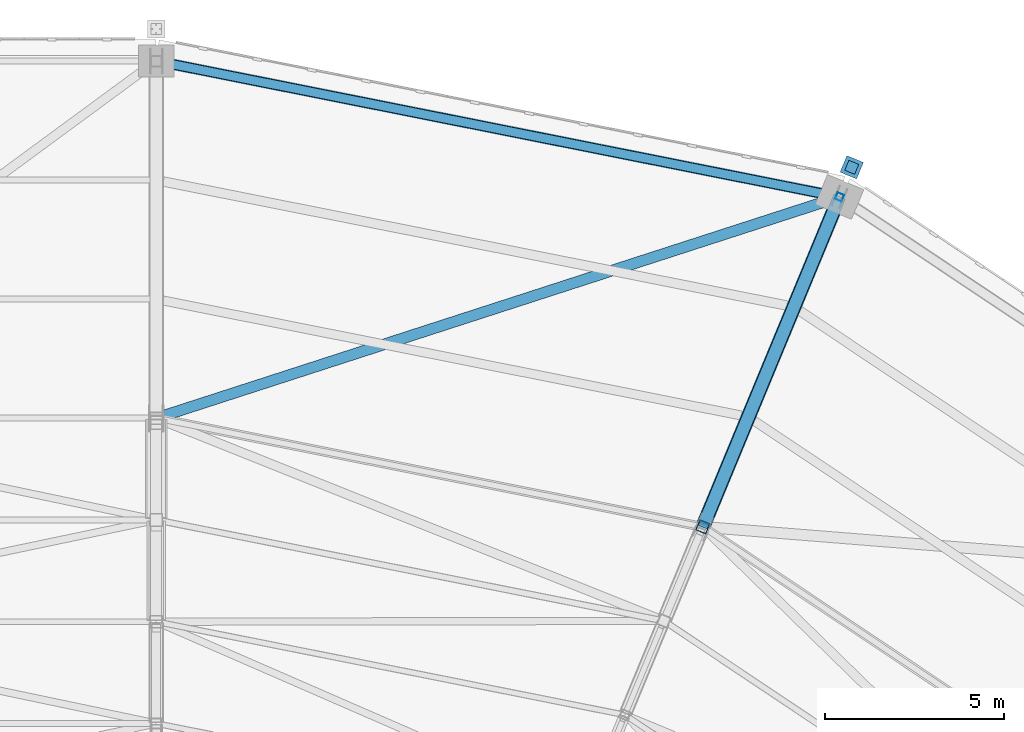
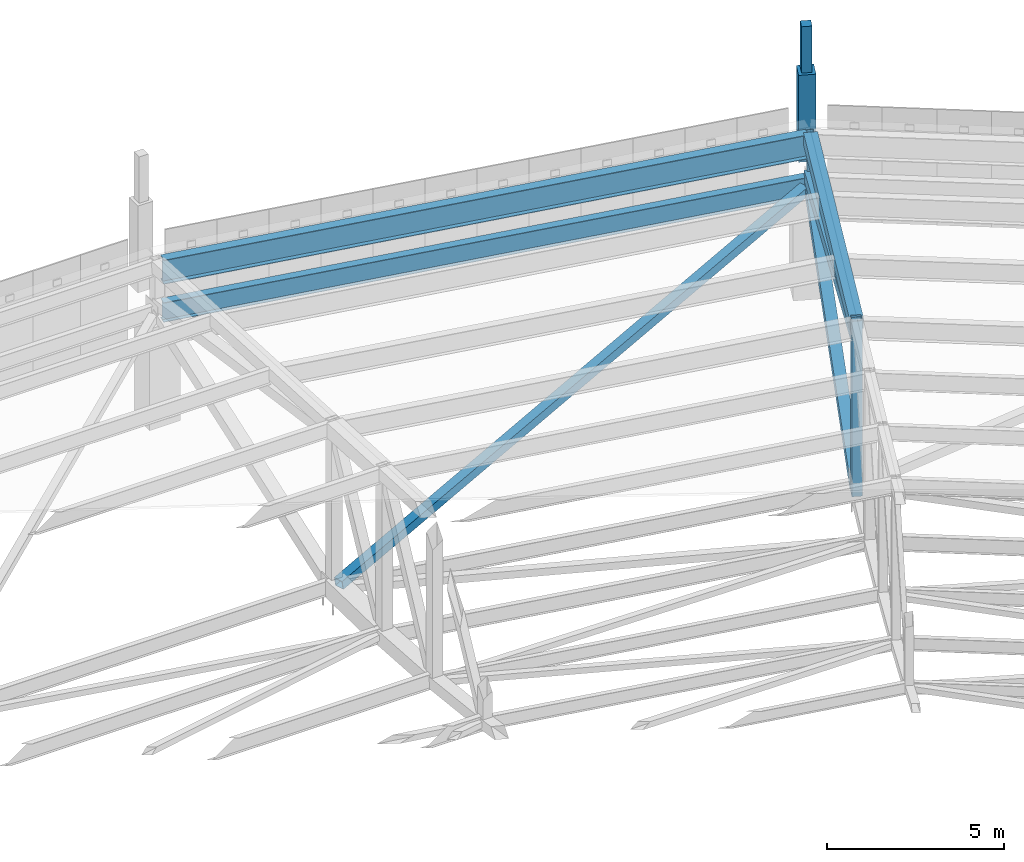
# One storey, part 106 of 278: 6 members, 4 beams.
"""IFC4 building model written with IfcOpenShell, lengths in metres."""

from ifc_helpers import new_model, si_unit, direction, frame, origin, origin_2d, place, context, subcontext, project, spatial, rectangle, hollow_rectangle, i_section, extrude, material, material_profile, profile_set, type_object, element, save


model = new_model("IFC4")

# Units and contexts
model_context = context("Model", 3, precision=1e-05, world=origin(), true_north=direction((0.0, 1.0)))
body_context = subcontext(model_context, "Body", "Model", "MODEL_VIEW")
ifc_project = project(units=[si_unit("LENGTHUNIT", "METRE"), si_unit("AREAUNIT", "SQUARE_METRE"), si_unit("VOLUMEUNIT", "CUBIC_METRE"), si_unit("PLANEANGLEUNIT", "RADIAN"), si_unit("MASSUNIT", "GRAM", prefix="KILO")], contexts=[model_context])

# Site, building, storey
site_placement = place(None, origin())
site = spatial("IfcSite", under=ifc_project, at=site_placement, CompositionType="ELEMENT")
building_placement = place(site_placement, origin())
building = spatial("IfcBuilding", under=site, at=building_placement, Name="Ogive Plaza Stadium", CompositionType="ELEMENT")
storey_placement = place(building_placement, frame((0.0, 0.0, 29.0)))
storey = spatial("IfcBuildingStorey", under=building, at=storey_placement, Name="Roof", CompositionType="ELEMENT", Elevation=29.0)

# Members
ifc_material_1 = material(Name="Concrete C45/55 precast", Category="concrete")
ifc_material_profile_1 = material_profile(ifc_material_1, rectangle(XDim=0.5, YDim=0.5, at=origin_2d()), Name="RC 500x500")
ifc_profile_set_1 = profile_set([ifc_material_profile_1], Name="Concrete C45/55 precast")
member_type_1 = type_object("IfcMemberType", Name="Precast pinnacle 500x500", PredefinedType="POST", material=ifc_profile_set_1)
member_1_placement = place(storey_placement, frame((53.478515625, 99.525390625, 4.0), z_axis=(0.0, 0.0, 1.0), x_axis=(-0.923879532511, 0.382683432365, 0.0)))
element("IfcMember", 1, at=member_1_placement, inside=storey, type_object=member_type_1, Name="PINNACLE R38", PredefinedType="POST", context=body_context, shape_type="SweptSolid", body=[
    extrude(rectangle(XDim=0.5, YDim=0.5, at=origin_2d()), origin(), (0.0, 0.0, 1.0), 3.0),
])
ifc_material_2 = material(Name="Concrete C45/55 precast", Category="concrete")
ifc_material_profile_2 = material_profile(ifc_material_2, rectangle(XDim=0.300048828125, YDim=0.300048828125, at=origin_2d()), Name="RC 300x300")
ifc_profile_set_2 = profile_set([ifc_material_profile_2], Name="Concrete C45/55 precast")
member_type_2 = type_object("IfcMemberType", Name="Precast spire 300x300", PredefinedType="MEMBER", material=ifc_profile_set_2)
member_2_placement = place(storey_placement, frame((53.478515625, 99.525390625, 7.0), z_axis=(0.0, 0.0, 1.0), x_axis=(-0.923879532511, 0.382683432365, 0.0)))
element("IfcMember", 2, at=member_2_placement, inside=storey, type_object=member_type_2, Name="SPIRE R38", PredefinedType="MEMBER", context=body_context, shape_type="SweptSolid", body=[
    extrude(rectangle(XDim=0.300048828125, YDim=0.300048828125, at=origin_2d()), origin(), (0.0, 0.0, 1.0), 1.60009765625),
])
ifc_material_3 = material(Name="Steel ASTM A500 Grade C", Category="steel")
ifc_material_profile_3 = material_profile(ifc_material_3, hollow_rectangle(XDim=0.3046875, YDim=0.3046875, WallThickness=0.0087890625, at=origin_2d()), Name="HSS12X12X3/8")
ifc_profile_set_3 = profile_set([ifc_material_profile_3], Name="Steel ASTM A500 Grade C")
member_type_3 = type_object("IfcMemberType", Name="Roof plan brace HSS12X12X3/8", PredefinedType="BRACE", material=ifc_profile_set_3)
member_3_placement = place(storey_placement, frame((34.1962890625, 92.5634765625, 0.23876953125), z_axis=(0.937504082222, 0.303484233035, 0.170245164735), x_axis=(-0.307980209031, 0.951392763713, 0.0)))
element("IfcMember", 3, at=member_3_placement, inside=storey, type_object=member_type_3, Name="ROOF BRACE B37 11", PredefinedType="BRACE", context=body_context, shape_type="SweptSolid", body=[
    extrude(hollow_rectangle(XDim=0.3046875, YDim=0.3046875, WallThickness=0.0087890625, at=origin_2d()), origin(), (0.0, 0.0, 1.0), 19.96337890625),
])
ifc_material_4 = material(Name="Steel ASTM A992 Grade 50", Category="steel")
ifc_material_profile_4 = material_profile(ifc_material_4, i_section(OverallWidth=0.2529296875, OverallDepth=0.678466796875, WebThickness=0.01171875, FlangeThickness=0.016357421875, at=origin_2d()), Name="W27X84")
ifc_profile_set_4 = profile_set([ifc_material_profile_4], Name="Steel ASTM A992 Grade 50")
member_type_4 = type_object("IfcMemberType", Name="Roof plan strut W27X84", PredefinedType="STRUT", material=ifc_profile_set_4)
member_4_placement = place(storey_placement, frame((34.147705078125, 102.470703125, 3.677734375), z_axis=(0.980783455639, -0.195099495499, 0.0), x_axis=(0.195099495499, 0.980783455639, 0.0)))
element("IfcMember", 4, at=member_4_placement, inside=storey, type_object=member_type_4, Name="ROOF STRUT B37 11", PredefinedType="STRUT", context=body_context, shape_type="SweptSolid", body=[
    extrude(i_section(OverallWidth=0.2529296875, OverallDepth=0.678466796875, WebThickness=0.01171875, FlangeThickness=0.016357421875, at=origin_2d()), origin(), (0.0, 0.0, 1.0), 19.259765625),
])
ifc_material_5 = material(Name="Steel ASTM A992 Grade 50", Category="steel")
ifc_material_profile_5 = material_profile(ifc_material_5, i_section(OverallWidth=0.2919921875, OverallDepth=0.834716796875, WebThickness=0.013916015625, FlangeThickness=0.018798828125, at=origin_2d()), Name="W33X118")
ifc_profile_set_5 = profile_set([ifc_material_profile_5], Name="Steel ASTM A992 Grade 50")
member_type_5 = type_object("IfcMemberType", Name="Roof purlin W33X118", PredefinedType="PURLIN", material=ifc_profile_set_5)
member_5_placement = place(storey_placement, frame((34.1513671875, 102.469970703125, 5.082763671875), z_axis=(0.98078547793, -0.195089328978, 0.0), x_axis=(0.195089328978, 0.98078547793, 0.0)))
element("IfcMember", 5, at=member_5_placement, inside=storey, type_object=member_type_5, Name="ROOF PURLIN B37 13", PredefinedType="PURLIN", context=body_context, shape_type="SweptSolid", body=[
    extrude(i_section(OverallWidth=0.2919921875, OverallDepth=0.834716796875, WebThickness=0.013916015625, FlangeThickness=0.018798828125, at=origin_2d()), origin(), (0.0, 0.0, 1.0), 19.251953125),
])

# Beams
ifc_material_6 = material(Name="Steel ASTM A500 Grade C", Category="steel")
ifc_material_profile_6 = material_profile(ifc_material_6, hollow_rectangle(XDim=0.355712890625, YDim=0.355712890625, WallThickness=0.0146484375, at=origin_2d()), Name="HSS14X14X5/8")
ifc_profile_set_6 = profile_set([ifc_material_profile_6], Name="Steel ASTM A500 Grade C")
beam_type_1 = type_object("IfcBeamType", Name="Roof truss back-span bottom chord HSS14X14X5/8", PredefinedType="BEAM", material=ifc_profile_set_6)
beam_1_placement = place(storey_placement, frame((49.326416015625, 89.50146484375, 0.205810546875), z_axis=(0.361198342864, 0.8720107052, 0.330352973543), x_axis=(-0.92387965154, 0.382683145003, 0.0)))
element("IfcBeam", 6, at=beam_1_placement, inside=storey, type_object=beam_type_1, Name="ROOF TRUSS T38 BOTTOM CHORD 11", PredefinedType="BEAM", context=body_context, shape_type="SweptSolid", body=[
    extrude(hollow_rectangle(XDim=0.355712890625, YDim=0.355712890625, WallThickness=0.0146484375, at=origin_2d()), origin(), (0.0, 0.0, 1.0), 10.4794921875),
])
ifc_material_7 = material(Name="Steel ASTM A500 Grade C", Category="steel")
ifc_material_profile_7 = material_profile(ifc_material_7, hollow_rectangle(XDim=0.406494140625, YDim=0.406494140625, WallThickness=0.01171875, at=origin_2d()), Name="HSS16X16X1/2")
ifc_profile_set_7 = profile_set([ifc_material_profile_7], Name="Steel ASTM A500 Grade C")
beam_type_2 = type_object("IfcBeamType", Name="Roof truss back-span top chord HSS16X16X1/2", PredefinedType="BEAM", material=ifc_profile_set_7)
beam_2_placement = place(storey_placement, frame((49.326416015625, 89.50146484375, 5.7939453125), z_axis=(0.382212873931, 0.922724635654, -0.049925602233), x_axis=(-0.923876765838, 0.382690111637, 0.0)))
element("IfcBeam", 7, at=beam_2_placement, inside=storey, type_object=beam_type_2, Name="ROOF TRUSS T38 TOP CHORD 11", PredefinedType="BEAM", context=body_context, shape_type="SweptSolid", body=[
    extrude(hollow_rectangle(XDim=0.406494140625, YDim=0.406494140625, WallThickness=0.01171875, at=origin_2d()), origin(), (0.0, 0.0, 1.0), 9.912109375),
])

# Member
ifc_material_8 = material(Name="Steel ASTM A500 Grade C", Category="steel")
ifc_material_profile_8 = material_profile(ifc_material_8, hollow_rectangle(XDim=0.355712890625, YDim=0.355712890625, WallThickness=0.01171875, at=origin_2d()), Name="HSS14X14X1/2")
ifc_profile_set_8 = profile_set([ifc_material_profile_8], Name="Steel ASTM A500 Grade C")
member_type_6 = type_object("IfcMemberType", Name="Roof truss back-stay HSS14X14X1/2", PredefinedType="BRACE", material=ifc_profile_set_8)
member_6_placement = place(storey_placement, frame((49.3330078125, 89.51708984375, 5.456787109375), z_axis=(0.378574229049, 0.913970348271, -0.146081332079), x_axis=(-0.923881206794, 0.382679390263, 0.0)))
element("IfcMember", 8, at=member_6_placement, inside=storey, type_object=member_type_6, Name="BACK-STAY T38", PredefinedType="BRACE", context=body_context, shape_type="SweptSolid", body=[
    extrude(hollow_rectangle(XDim=0.355712890625, YDim=0.355712890625, WallThickness=0.01171875, at=origin_2d()), origin(), (0.0, 0.0, 1.0), 10.024169921875),
])

# Beams
ifc_material_9 = material(Name="Steel ASTM A500 Grade C", Category="steel")
ifc_material_profile_9 = material_profile(ifc_material_9, hollow_rectangle(XDim=0.3046875, YDim=0.3046875, WallThickness=0.01171875, at=origin_2d()), Name="HSS12X12X1/2")
ifc_profile_set_9 = profile_set([ifc_material_profile_9], Name="Steel ASTM A500 Grade C")
beam_type_3 = type_object("IfcBeamType", Name="Roof truss post HSS12X12X1/2", PredefinedType="BEAM", material=ifc_profile_set_9)
beam_3_placement = place(storey_placement, frame((49.307373046875, 89.455078125, -0.06005859375), z_axis=(0.0, 0.0, 1.0), x_axis=(-0.923879532511, 0.382683432365, 0.0)))
element("IfcBeam", 9, at=beam_3_placement, inside=storey, type_object=beam_type_3, Name="ROOF TRUSS T38 POST 11", PredefinedType="BEAM", context=body_context, shape_type="SweptSolid", body=[
    extrude(hollow_rectangle(XDim=0.3046875, YDim=0.3046875, WallThickness=0.01171875, at=origin_2d()), origin(), (0.0, 0.0, 1.0), 6.06005859375),
])
ifc_material_10 = material(Name="Steel ASTM A500 Grade C", Category="steel")
ifc_material_profile_10 = material_profile(ifc_material_10, hollow_rectangle(XDim=0.203125, YDim=0.203125, WallThickness=0.0087890625, at=origin_2d()), Name="HSS8X8X3/8")
ifc_profile_set_10 = profile_set([ifc_material_profile_10], Name="Steel ASTM A500 Grade C")
beam_type_4 = type_object("IfcBeamType", Name="Roof truss post HSS8X8X3/8", PredefinedType="BEAM", material=ifc_profile_set_10)
beam_4_placement = place(storey_placement, frame((53.13427734375, 98.694091796875, 3.43994140625), z_axis=(0.0, 0.0, 1.0), x_axis=(-0.923879532511, 0.382683432365, 0.0)))
element("IfcBeam", 10, at=beam_4_placement, inside=storey, type_object=beam_type_4, Name="ROOF TRUSS T38 POST 12", PredefinedType="BEAM", context=body_context, shape_type="SweptSolid", body=[
    extrude(hollow_rectangle(XDim=0.203125, YDim=0.203125, WallThickness=0.0087890625, at=origin_2d()), origin(), (0.0, 0.0, 1.0), 2.06005859375),
])

save(model, "model.ifc")
